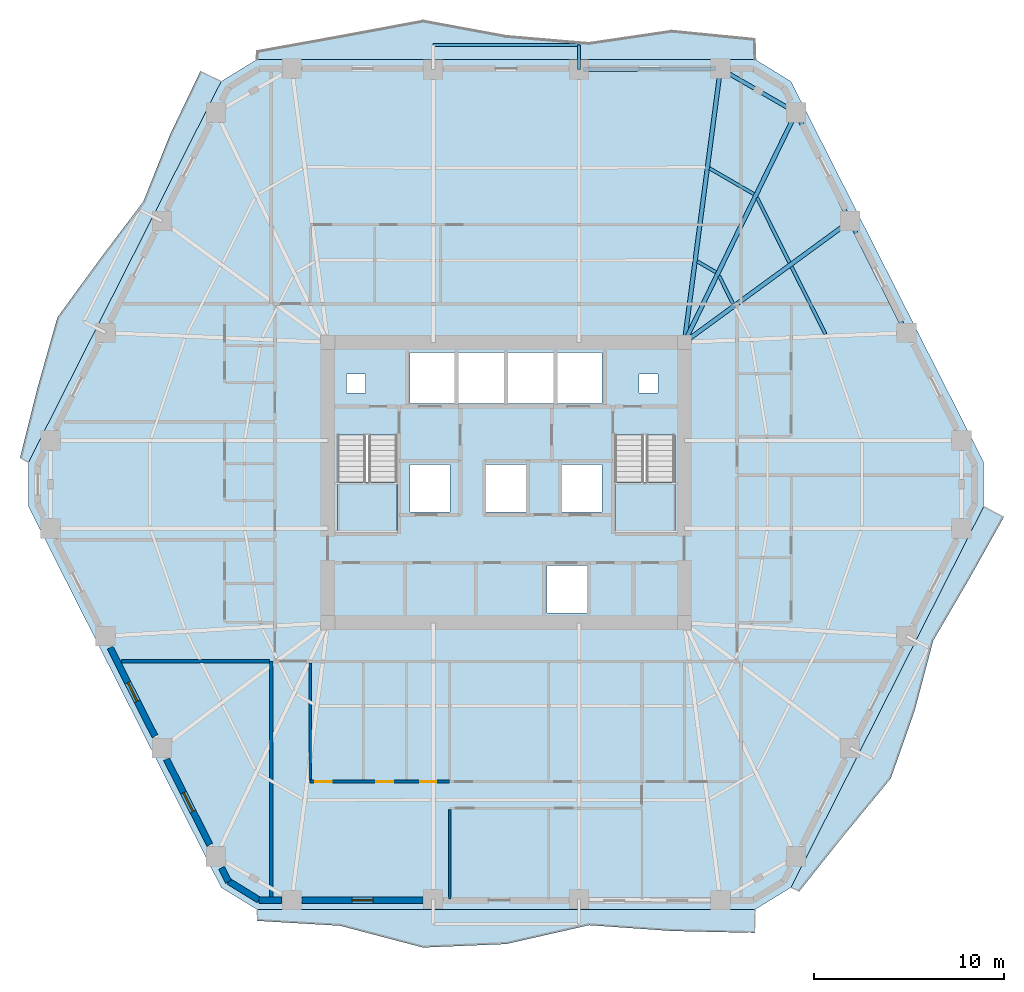
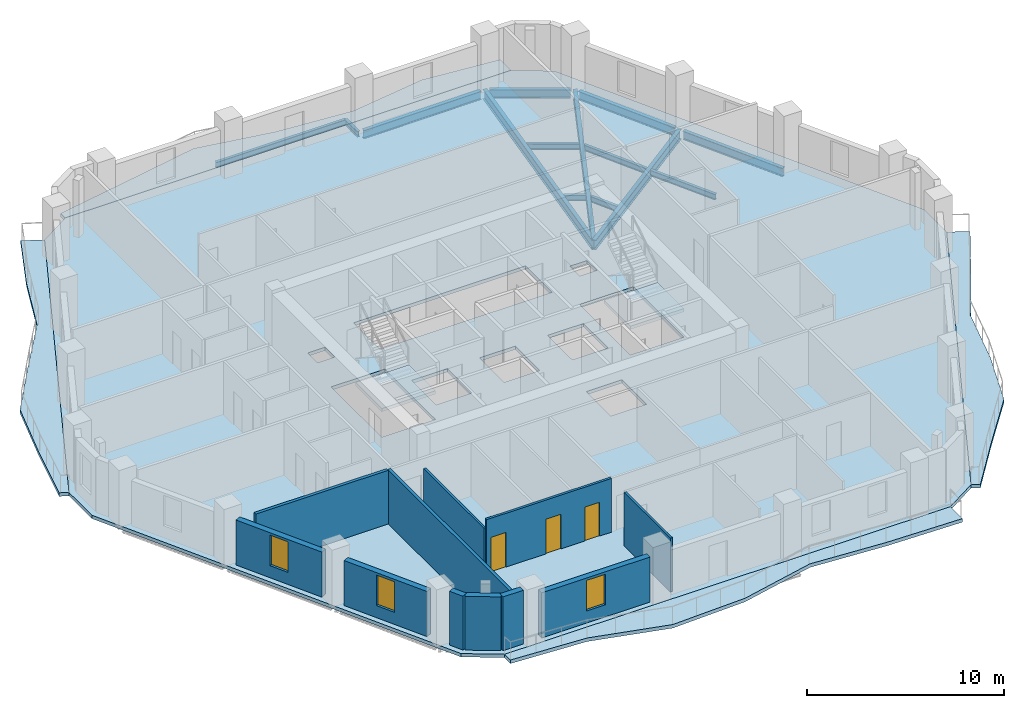
# One storey, part 3 of 10: 14 beams, 11 walls, 7 slabs, 3 doors, 3 windows, 6 openings, 2 elements without a shape of their own.
"""IFC4 building model written with IfcOpenShell, lengths in metres."""

import ifcopenshell
import ifcopenshell.guid

model = None  # the IFC model being written
_history = None  # IfcOwnerHistory: only IFC2X3 demands one
_inside = {}  # id of a spatial element -> (the spatial element, [elements in it])
_under = {}  # id of a project, library or spatial element -> (it, [spatial elements below it])
_declared = {}  # id of a project -> (the project, [libraries it declares])
_typed = {}  # id of a type object -> (the type object, [elements of that type])
_made_of = {}  # id of a material, layer set ... -> (it, [elements and type objects made of it])


def new_model(schema):
    """Start an empty IFC model of exactly this schema.

    Asked for "IFC4X3", IfcOpenShell would pick the latest addendum, in which some entities
    have other attributes; the version numbers below select the first issue.
    IFC2X3 requires an IfcOwnerHistory on every rooted entity: one is made here for all.
    """
    global model, _history
    if schema == "IFC4X3":
        model = ifcopenshell.file(schema_version=(4, 3, 0, 0))
    else:
        model = ifcopenshell.file(schema=schema)
    _inside.clear()
    _under.clear()
    _declared.clear()
    _typed.clear()
    _made_of.clear()
    _history = None
    if model.schema == "IFC2X3":
        org = make("IfcOrganization", Name="unknown")
        user = make(
            "IfcPersonAndOrganization",
            ThePerson=make("IfcPerson", FamilyName="unknown"),
            TheOrganization=org,
        )
        app = make(
            "IfcApplication",
            ApplicationDeveloper=org,
            Version="unknown",
            ApplicationFullName="unknown",
            ApplicationIdentifier="unknown",
        )
        _history = make(
            "IfcOwnerHistory",
            OwningUser=user,
            OwningApplication=app,
            ChangeAction="ADDED",
            CreationDate=0,
        )
    return model


def make(cls, **values):
    """One entity of the class cls with the attributes given. An attribute that is None is left unset."""
    return model.create_entity(
        cls, **{name: value for name, value in values.items() if value is not None}
    )


def rooted(cls, **values):
    """An entity with a GlobalId (a new one), such as an element, a storey or a relation."""
    return make(cls, GlobalId=ifcopenshell.guid.new(), OwnerHistory=_history, **values)


def si_unit(unit_type, name, prefix=None):
    """IfcSIUnit, for example si_unit("LENGTHUNIT", "METRE", prefix="MILLI")."""
    return make("IfcSIUnit", UnitType=unit_type, Prefix=prefix, Name=name)


def assignment(units):
    """IfcUnitAssignment: the units of a project."""
    return None if units is None else make("IfcUnitAssignment", Units=units)


def point(xyz):
    """IfcCartesianPoint."""
    return None if xyz is None else make("IfcCartesianPoint", Coordinates=xyz)


def direction(xyz):
    """IfcDirection."""
    return None if xyz is None else make("IfcDirection", DirectionRatios=xyz)


def frame(location, z_axis=None, x_axis=None):
    """IfcAxis2Placement3D, a coordinate frame: its origin and axes. An axis left out is left unset."""
    return make(
        "IfcAxis2Placement3D",
        Location=point(location),
        Axis=direction(z_axis),
        RefDirection=direction(x_axis),
    )


def frame_2d(location, x_axis=None):
    """IfcAxis2Placement2D, a coordinate frame in the plane: its origin and x axis."""
    return make(
        "IfcAxis2Placement2D", Location=point(location), RefDirection=direction(x_axis)
    )


def origin():
    """The frame at (0, 0, 0) with its axes left unset."""
    return frame((0.0, 0.0, 0.0))


def origin_2d():
    """The frame at (0, 0) in the plane with its x axis left unset."""
    return frame_2d((0.0, 0.0))


def place(relative_to, where):
    """IfcLocalPlacement: puts the frame where relative to a parent placement (None: the world)."""
    return make(
        "IfcLocalPlacement", PlacementRelTo=relative_to, RelativePlacement=where
    )


def context(
    kind, dimensions, precision=None, world=None, true_north=None, identifier=None
):
    """IfcGeometricRepresentationContext, for example the 3D "Model" context."""
    return make(
        "IfcGeometricRepresentationContext",
        ContextIdentifier=identifier,
        ContextType=kind,
        CoordinateSpaceDimension=dimensions,
        Precision=precision,
        WorldCoordinateSystem=world,
        TrueNorth=true_north,
    )


def subcontext(parent, identifier, kind, view, scale=None):
    """IfcGeometricRepresentationSubContext, for example "Body" below "Model"."""
    return make(
        "IfcGeometricRepresentationSubContext",
        ContextIdentifier=identifier,
        ContextType=kind,
        ParentContext=parent,
        TargetScale=scale,
        TargetView=view,
    )


def project(units=None, contexts=None):
    """IfcProject with its units and contexts."""
    return rooted(
        "IfcProject",
        Name="project",
        RepresentationContexts=contexts,
        UnitsInContext=assignment(units),
    )


def spatial(cls, under=None, at=None, **own):
    """A site, building, storey or space (cls), placed at a placement, below another one or the project."""
    s = rooted(cls, ObjectPlacement=at, **own)
    if under is not None:
        _under.setdefault(under.id(), (under, []))[1].append(s)
    return s


def polyline(points):
    """IfcPolyline through the points."""
    return make("IfcPolyline", Points=[point(p) for p in points])


def profile(cls, at=None, kind="AREA", **sizes):
    """A parametric profile (cls). Its sizes go by their IFC names, for example OverallWidth=200.0."""
    return make(cls, ProfileType=kind, Position=at, **sizes)


def rectangle(**sizes):
    """IfcRectangleProfileDef."""
    return profile("IfcRectangleProfileDef", **sizes)


def i_section(**sizes):
    """IfcIShapeProfileDef."""
    return profile("IfcIShapeProfileDef", **sizes)


def outline(outer, holes=None, kind="AREA"):
    """IfcArbitraryClosedProfileDef: a profile drawn as a closed curve; with holes, ...WithVoids."""
    if holes is None:
        return make("IfcArbitraryClosedProfileDef", ProfileType=kind, OuterCurve=outer)
    return make(
        "IfcArbitraryProfileDefWithVoids",
        ProfileType=kind,
        OuterCurve=outer,
        InnerCurves=holes,
    )


def extrude(swept, where, along, depth):
    """IfcExtrudedAreaSolid: the profile swept, set in the frame where, extruded along a direction by depth."""
    return make(
        "IfcExtrudedAreaSolid",
        SweptArea=swept,
        Position=where,
        ExtrudedDirection=direction(along),
        Depth=depth,
    )


def shape(context_of_items, identifier, shape_type, items):
    """IfcShapeRepresentation: the items that make up one representation, for example the "Body"."""
    return make(
        "IfcShapeRepresentation",
        ContextOfItems=context_of_items,
        RepresentationIdentifier=identifier,
        RepresentationType=shape_type,
        Items=items,
    )


def material(Name=None, Category=None):
    """IfcMaterial."""
    return make("IfcMaterial", Name=Name, Category=Category)


def layer(
    of_material, thickness, ventilated=None, Name=None, Category=None, Priority=None
):
    """IfcMaterialLayer: one layer of a wall or slab, of a material (None: an air gap)."""
    return make(
        "IfcMaterialLayer",
        Material=of_material,
        LayerThickness=thickness,
        IsVentilated=ventilated,
        Name=Name,
        Category=Category,
        Priority=Priority,
    )


def layer_set(layers, Name=None):
    """IfcMaterialLayerSet."""
    return make("IfcMaterialLayerSet", MaterialLayers=layers, LayerSetName=Name)


def material_profile(
    of_material, cross_section, Name=None, Category=None, Priority=None
):
    """IfcMaterialProfile: a cross section and its material."""
    return make(
        "IfcMaterialProfile",
        Name=Name,
        Material=of_material,
        Profile=cross_section,
        Priority=Priority,
        Category=Category,
    )


def profile_set(profiles, Name=None, composite=None):
    """IfcMaterialProfileSet."""
    return make(
        "IfcMaterialProfileSet",
        Name=Name,
        MaterialProfiles=profiles,
        CompositeProfile=composite,
    )


def made_of(thing, what):
    """Note that an element or type object is made of a material, layer set ...; save() writes the relation."""
    if what is not None:
        _made_of.setdefault(what.id(), (what, []))[1].append(thing)
    return thing


def type_object(cls, material=None, **own):
    """A type object (cls), such as IfcWallType, which elements share."""
    return made_of(rooted(cls, **own), material)


def element(
    cls,
    number,
    at=None,
    inside=None,
    cuts=None,
    type_object=None,
    material=None,
    context=None,
    identifier="Body",
    shape_type=None,
    held_by="IfcProductDefinitionShape",
    body=None,
    shapes=None,
    **own,
):
    """One element of the class cls, such as IfcWall. Its Tag is "e" and its number.

    at: its placement. inside: the storey or other place that contains it. cuts: it is an
    opening in that element (IfcRelVoidsElement). A single representation is given by context,
    identifier, shape_type and body (its items); several are given by shapes. held_by: the class
    of the entity that holds the representations. save() writes the other relations.
    """
    e = rooted(cls, Tag="e%d" % number, ObjectPlacement=at, **own)
    if body is not None:
        shapes = [shape(context, identifier, shape_type, body)]
    if shapes is not None:
        e.Representation = make(held_by, Representations=shapes)
    if inside is not None:
        _inside.setdefault(inside.id(), (inside, []))[1].append(e)
    if cuts is not None:
        rooted(
            "IfcRelVoidsElement", RelatingBuildingElement=cuts, RelatedOpeningElement=e
        )
    if type_object is not None:
        _typed.setdefault(type_object.id(), (type_object, []))[1].append(e)
    return made_of(e, material)


def fill(opening, filler):
    """IfcRelFillsElement: the door or window that sits in an opening."""
    return rooted(
        "IfcRelFillsElement",
        RelatingOpeningElement=opening,
        RelatedBuildingElement=filler,
    )


def aggregate(whole, parts):
    """IfcRelAggregates: a whole, such as a stair, and the parts it consists of."""
    return rooted("IfcRelAggregates", RelatingObject=whole, RelatedObjects=parts)


def save(model, path):
    """Write the relations noted so far, then the file.

    IfcRelAggregates (storeys below a building ...), IfcRelContainedInSpatialStructure (elements
    in a storey), IfcRelDefinesByType, IfcRelAssociatesMaterial and IfcRelDeclares: one each for
    every whole, place, type object, material and project.
    """
    for whole, parts in _under.values():
        aggregate(whole, parts)
    for where, things in _inside.values():
        rooted(
            "IfcRelContainedInSpatialStructure",
            RelatedElements=things,
            RelatingStructure=where,
        )
    for kind, things in _typed.values():
        rooted("IfcRelDefinesByType", RelatedObjects=things, RelatingType=kind)
    for what, things in _made_of.values():
        rooted("IfcRelAssociatesMaterial", RelatedObjects=things, RelatingMaterial=what)
    for by, libraries in _declared.values():
        rooted("IfcRelDeclares", RelatingContext=by, RelatedDefinitions=libraries)
    model.write(path)


model = new_model("IFC4")

# Units and contexts
model_context = context("Model", 3, precision=1e-05, world=origin(), true_north=direction((0.0, 1.0)))
body_context = subcontext(model_context, "Body", "Model", "MODEL_VIEW")
ifc_project = project(units=[si_unit("LENGTHUNIT", "METRE"), si_unit("AREAUNIT", "SQUARE_METRE"), si_unit("VOLUMEUNIT", "CUBIC_METRE"), si_unit("PLANEANGLEUNIT", "RADIAN"), si_unit("MASSUNIT", "GRAM", prefix="KILO")], contexts=[model_context])

# Site, building, storey
site_placement = place(None, origin())
site = spatial("IfcSite", under=ifc_project, at=site_placement, CompositionType="ELEMENT")
building_placement = place(site_placement, origin())
building = spatial("IfcBuilding", under=site, at=building_placement, Name="Cinnabar Lancet Tower", CompositionType="ELEMENT")
storey_placement = place(building_placement, frame((0.0, 0.0, 119.699951171875)))
storey = spatial("IfcBuildingStorey", under=building, at=storey_placement, Name="L31", CompositionType="ELEMENT", Elevation=119.699951171875)

# Beams
ifc_material_1 = material(Name="Structural steel S355", Category="steel")
ifc_material_profile_1 = material_profile(ifc_material_1, i_section(OverallWidth=0.17138671875, OverallDepth=0.35498046875, WebThickness=0.00732421875, FlangeThickness=0.011474609375, FilletRadius=0.01025390625, at=origin_2d()), Name="UKB 356x171x51")
ifc_profile_set_1 = profile_set([ifc_material_profile_1], Name="Structural steel S355")
beam_type_1 = type_object("IfcBeamType", Name="STR-BM-JST-356", PredefinedType="JOIST", material=ifc_profile_set_1)
beam_1_placement = place(storey_placement, frame((49.19189453125, 33.70703125, -0.387939453125), z_axis=(-0.450606998706, 0.892722427587, 0.0), x_axis=(-0.892722427587, -0.450606998706, 0.0)))
element("IfcBeam", 1, at=beam_1_placement, inside=storey, type_object=beam_type_1, Name="L31 Secondary Floor Joist 27", PredefinedType="JOIST", context=body_context, shape_type="SweptSolid", body=[
    extrude(i_section(OverallWidth=0.17138671875, OverallDepth=0.35498046875, WebThickness=0.00732421875, FlangeThickness=0.011474609375, FilletRadius=0.01025390625, at=origin_2d()), origin(), (0.0, 0.0, 1.0), 3.967529296875),
])
beam_2_placement = place(storey_placement, frame((47.300048828125, 37.455078125, -0.387939453125), z_axis=(-0.445116798807, 0.895472520751, 0.0), x_axis=(-0.895472520751, -0.445116798807, 0.0)))
element("IfcBeam", 2, at=beam_2_placement, inside=storey, type_object=beam_type_1, Name="L31 Secondary Floor Joist 29", PredefinedType="JOIST", context=body_context, shape_type="SweptSolid", body=[
    extrude(i_section(OverallWidth=0.17138671875, OverallDepth=0.35498046875, WebThickness=0.00732421875, FlangeThickness=0.011474609375, FilletRadius=0.01025390625, at=origin_2d()), origin(), (0.0, 0.0, 1.0), 3.8212890625),
])
beam_3_placement = place(storey_placement, frame((44.337890625, 35.2900390625, -0.387939453125), z_axis=(-0.445677136949, 0.895193772097, 0.0), x_axis=(-0.895193772097, -0.445677136949, 0.0)))
element("IfcBeam", 3, at=beam_3_placement, inside=storey, type_object=beam_type_1, Name="L31 Secondary Floor Joist 30", PredefinedType="JOIST", context=body_context, shape_type="SweptSolid", body=[
    extrude(i_section(OverallWidth=0.17138671875, OverallDepth=0.35498046875, WebThickness=0.00732421875, FlangeThickness=0.011474609375, FilletRadius=0.01025390625, at=origin_2d()), origin(), (0.0, 0.0, 1.0), 1.6533203125),
])
beam_4_placement = place(storey_placement, frame((45.43505859375, 41.06298828125, -0.387939453125), z_axis=(-0.865172906898, 0.501473669469, 0.0), x_axis=(-0.501473669469, -0.865172906898, 0.0)))
element("IfcBeam", 4, at=beam_4_placement, inside=storey, type_object=beam_type_1, Name="L31 Secondary Floor Joist 31", PredefinedType="JOIST", context=body_context, shape_type="SweptSolid", body=[
    extrude(i_section(OverallWidth=0.17138671875, OverallDepth=0.35498046875, WebThickness=0.00732421875, FlangeThickness=0.011474609375, FilletRadius=0.01025390625, at=origin_2d()), origin(), (0.0, 0.0, 1.0), 2.705810546875),
])
beam_5_placement = place(storey_placement, frame((43.43798828125, 36.9560546875, -0.387939453125), z_axis=(-0.865055308165, 0.501676503154, 0.0), x_axis=(-0.501676503154, -0.865055308165, 0.0)))
element("IfcBeam", 5, at=beam_5_placement, inside=storey, type_object=beam_type_1, Name="L31 Secondary Floor Joist 32", PredefinedType="JOIST", context=body_context, shape_type="SweptSolid", body=[
    extrude(i_section(OverallWidth=0.17138671875, OverallDepth=0.35498046875, WebThickness=0.00732421875, FlangeThickness=0.011474609375, FilletRadius=0.01025390625, at=origin_2d()), origin(), (0.0, 0.0, 1.0), 1.14208984375),
])
ifc_material_2 = material(Name="Structural steel S355", Category="steel")
ifc_material_profile_2 = material_profile(ifc_material_2, i_section(OverallWidth=0.209228515625, OverallDepth=0.533203125, WebThickness=0.010009765625, FlangeThickness=0.015625, FilletRadius=0.0126953125, at=origin_2d()), Name="UKB 533x210x92")
ifc_profile_set_2 = profile_set([ifc_material_profile_2], Name="Structural steel S355")
beam_type_2 = type_object("IfcBeamType", Name="STR-BM-SPN-533", PredefinedType="SPANDREL", material=ifc_profile_set_2)
beam_6_placement = place(storey_placement, frame((53.339111328125, 33.9990234375, -0.47705078125), z_axis=(-0.450570325924, 0.892740937449, 0.0), x_axis=(-0.892740937449, -0.450570325924, 0.0)))
element("IfcBeam", 6, at=beam_6_placement, inside=storey, type_object=beam_type_2, Name="L31 Perimeter Spandrel 10", PredefinedType="SPANDREL", context=body_context, shape_type="SweptSolid", body=[
    extrude(i_section(OverallWidth=0.209228515625, OverallDepth=0.533203125, WebThickness=0.010009765625, FlangeThickness=0.015625, FilletRadius=0.0126953125, at=origin_2d()), origin(), (0.0, 0.0, 1.0), 6.07470703125),
])
beam_7_placement = place(storey_placement, frame((50.3779296875, 39.868896484375, -0.47705078125), z_axis=(-0.445501068635, 0.89528140707, 0.0), x_axis=(-0.89528140707, -0.445501068635, 0.0)))
element("IfcBeam", 7, at=beam_7_placement, inside=storey, type_object=beam_type_2, Name="L31 Perimeter Spandrel 11", PredefinedType="SPANDREL", context=body_context, shape_type="SweptSolid", body=[
    extrude(i_section(OverallWidth=0.209228515625, OverallDepth=0.533203125, WebThickness=0.010009765625, FlangeThickness=0.015625, FilletRadius=0.0126953125, at=origin_2d()), origin(), (0.0, 0.0, 1.0), 5.87646484375),
])
beam_8_placement = place(storey_placement, frame((47.43310546875, 45.47900390625, -0.47705078125), z_axis=(-0.865138129765, 0.5015336643, 0.0), x_axis=(-0.5015336643, -0.865138129765, 0.0)))
element("IfcBeam", 8, at=beam_8_placement, inside=storey, type_object=beam_type_2, Name="L31 Perimeter Spandrel 12", PredefinedType="SPANDREL", context=body_context, shape_type="SweptSolid", body=[
    extrude(i_section(OverallWidth=0.209228515625, OverallDepth=0.533203125, WebThickness=0.010009765625, FlangeThickness=0.015625, FilletRadius=0.0126953125, at=origin_2d()), origin(), (0.0, 0.0, 1.0), 4.10107421875),
])
beam_9_placement = place(storey_placement, frame((43.4189453125, 47.658935546875, -0.47705078125), z_axis=(-0.999975228682, -0.007038609338, 0.0), x_axis=(0.007038609338, -0.999975228682, 0.0)))
element("IfcBeam", 9, at=beam_9_placement, inside=storey, type_object=beam_type_2, Name="L31 Perimeter Spandrel 13", PredefinedType="SPANDREL", context=body_context, shape_type="SweptSolid", body=[
    extrude(i_section(OverallWidth=0.209228515625, OverallDepth=0.533203125, WebThickness=0.010009765625, FlangeThickness=0.015625, FilletRadius=0.0126953125, at=origin_2d()), origin(), (0.0, 0.0, 1.0), 6.937255859375),
])
ifc_material_3 = material(Name="Structural steel S355", Category="steel")
ifc_material_profile_3 = material_profile(ifc_material_3, i_section(OverallWidth=0.228271484375, OverallDepth=0.607666015625, WebThickness=0.010986328125, FlangeThickness=0.017333984375, FilletRadius=0.0126953125, at=origin_2d()), Name="UKB 610x229x113")
ifc_profile_set_3 = profile_set([ifc_material_profile_3], Name="Structural steel S355")
beam_type_3 = type_object("IfcBeamType", Name="STR-BM-UKB610-113", PredefinedType="BEAM", material=ifc_profile_set_3)
beam_10_placement = place(storey_placement, frame((50.489013671875, 39.64501953125, -0.513916015625), z_axis=(-0.807297870919, -0.590144175273, 0.0), x_axis=(0.590144175273, -0.807297870919, 0.0)))
element("IfcBeam", 10, at=beam_10_placement, inside=storey, type_object=beam_type_3, Name="L31 Corner Collector Girder 3", PredefinedType="BEAM", context=body_context, shape_type="SweptSolid", body=[
    extrude(i_section(OverallWidth=0.228271484375, OverallDepth=0.607666015625, WebThickness=0.010986328125, FlangeThickness=0.017333984375, FilletRadius=0.0126953125, at=origin_2d()), origin(), (0.0, 0.0, 1.0), 10.794189453125),
])
beam_11_placement = place(storey_placement, frame((47.64892578125, 45.35400390625, -0.513916015625), z_axis=(-0.437327473227, -0.899302330232, 0.0), x_axis=(0.899302330232, -0.437327473227, 0.0)))
element("IfcBeam", 11, at=beam_11_placement, inside=storey, type_object=beam_type_3, Name="L31 Primary Floor Girder 12", PredefinedType="BEAM", context=body_context, shape_type="SweptSolid", body=[
    extrude(i_section(OverallWidth=0.228271484375, OverallDepth=0.607666015625, WebThickness=0.010986328125, FlangeThickness=0.017333984375, FilletRadius=0.0126953125, at=origin_2d()), origin(), (0.0, 0.0, 1.0), 13.431640625),
])
beam_12_placement = place(storey_placement, frame((43.6689453125, 47.660888671875, -0.513916015625), z_axis=(-0.130532420418, -0.991444041396, 0.0), x_axis=(0.991444041396, -0.130532420418, 0.0)))
element("IfcBeam", 12, at=beam_12_placement, inside=storey, type_object=beam_type_3, Name="L31 Primary Floor Girder 13", PredefinedType="BEAM", context=body_context, shape_type="SweptSolid", body=[
    extrude(i_section(OverallWidth=0.228271484375, OverallDepth=0.607666015625, WebThickness=0.010986328125, FlangeThickness=0.017333984375, FilletRadius=0.0126953125, at=origin_2d()), origin(), (0.0, 0.0, 1.0), 14.51025390625),
])
ifc_material_4 = material(Name="Structural steel S355", Category="steel")
ifc_material_profile_4 = material_profile(ifc_material_4, i_section(OverallWidth=0.17138671875, OverallDepth=0.35498046875, WebThickness=0.00732421875, FlangeThickness=0.011474609375, FilletRadius=0.01025390625, at=origin_2d()), Name="UKB 356x171x51")
ifc_profile_set_4 = profile_set([ifc_material_profile_4], Name="Structural steel S355")
beam_type_4 = type_object("IfcBeamType", Name="STR-BM-WAV-OUT", PredefinedType="BEAM", material=ifc_profile_set_4)
beam_13_placement = place(storey_placement, frame((36.23193359375, 47.60791015625, -0.39697265625), z_axis=(0.0, 1.0, 0.0), x_axis=(-1.0, 0.0, 0.0)))
element("IfcBeam", 13, at=beam_13_placement, inside=storey, type_object=beam_type_4, Name="L31 Face 4 Balcony Outlooker A", PredefinedType="BEAM", context=body_context, shape_type="SweptSolid", body=[
    extrude(i_section(OverallWidth=0.17138671875, OverallDepth=0.35498046875, WebThickness=0.00732421875, FlangeThickness=0.011474609375, FilletRadius=0.01025390625, at=origin_2d()), origin(), (0.0, 0.0, 1.0), 1.300048828125),
])
ifc_material_5 = material(Name="Structural steel S355", Category="steel")
ifc_material_profile_5 = material_profile(ifc_material_5, i_section(OverallWidth=0.17138671875, OverallDepth=0.35498046875, WebThickness=0.00732421875, FlangeThickness=0.011474609375, FilletRadius=0.01025390625, at=origin_2d()), Name="UKB 356x171x51")
ifc_profile_set_5 = profile_set([ifc_material_profile_5], Name="Structural steel S355")
beam_type_5 = type_object("IfcBeamType", Name="STR-BM-WAV-TRIM", PredefinedType="SPANDREL", material=ifc_profile_set_5)
beam_14_placement = place(storey_placement, frame((36.23193359375, 48.907958984375, -0.39697265625), z_axis=(-1.0, 0.0, 0.0), x_axis=(0.0, -1.0, 0.0)))
element("IfcBeam", 14, at=beam_14_placement, inside=storey, type_object=beam_type_5, Name="L31 Face 4 Balcony Edge Trimmer", PredefinedType="SPANDREL", context=body_context, shape_type="SweptSolid", body=[
    extrude(i_section(OverallWidth=0.17138671875, OverallDepth=0.35498046875, WebThickness=0.00732421875, FlangeThickness=0.011474609375, FilletRadius=0.01025390625, at=origin_2d()), origin(), (0.0, 0.0, 1.0), 7.663818359375),
])

# Stair, slab
ifc_material_6 = material(Name="Concrete C40/50", Category="concrete")
stair_type = type_object("IfcStairType", Name="ST-CORE", PredefinedType="HALF_TURN_STAIR", material=ifc_material_6)
stair_1_placement = place(storey_placement, origin())
stair_1 = element("IfcStair", 15, at=stair_1_placement, inside=storey, type_object=stair_type, Name="L31 ST-1", PredefinedType="HALF_TURN_STAIR")
ifc_material_7 = material(Name="Concrete C40/50", Category="concrete")
ifc_layer_1 = layer(ifc_material_7, 0.199951171875)
ifc_layer_set_1 = layer_set([ifc_layer_1], Name="Concrete C40/50")
slab_type_1 = type_object("IfcSlabType", Name="LANDING-CORE", PredefinedType="LANDING", material=ifc_layer_set_1)
slab_1_placement = place(storey_placement, frame((0.0, 0.0, 1.574951171875)))
slab_1 = element("IfcSlab", 16, at=slab_1_placement, type_object=slab_type_1, Name="ST-1 landing 1", PredefinedType="LANDING", context=body_context, shape_type="SweptSolid", body=[
    extrude(outline(polyline([(23.52490234375, 25.925048828125), (23.52490234375, 23.25), (26.675048828125, 23.25), (26.675048828125, 25.925048828125), (23.52490234375, 25.925048828125)])), origin(), (0.0, 0.0, 1.0), 0.2001953125),
])
aggregate(stair_1, [slab_1])

stair_2_placement = place(storey_placement, origin())
stair_2 = element("IfcStair", 17, at=stair_2_placement, inside=storey, type_object=stair_type, Name="L31 ST-2", PredefinedType="HALF_TURN_STAIR")
slab_2_placement = place(storey_placement, frame((0.0, 0.0, 1.574951171875)))
slab_2 = element("IfcSlab", 18, at=slab_2_placement, type_object=slab_type_1, Name="ST-2 landing 1", PredefinedType="LANDING", context=body_context, shape_type="SweptSolid", body=[
    extrude(outline(polyline([(38.125, 25.925048828125), (38.125, 23.25), (41.27490234375, 23.25), (41.27490234375, 25.925048828125), (38.125, 25.925048828125)])), origin(), (0.0, 0.0, 1.0), 0.2001953125),
])
aggregate(stair_2, [slab_2])

# Slabs
ifc_material_8 = material(Name="Concrete C40/50", Category="concrete")
ifc_layer_2 = layer(ifc_material_8, 0.2099609375)
ifc_layer_set_2 = layer_set([ifc_layer_2], Name="Concrete C40/50")
slab_type_2 = type_object("IfcSlabType", Name="STR-SLB-FLR-210", PredefinedType="FLOOR", material=ifc_layer_set_2)
slab_3_placement = place(storey_placement, frame((0.0, 0.0, -0.2099609375)))
element("IfcSlab", 19, at=slab_3_placement, inside=storey, type_object=slab_type_2, Name="L31 Structural Floor Slab", PredefinedType="FLOOR", context=body_context, shape_type="SweptSolid", body=[
    extrude(outline(polyline([(17.4208984375, 4.610107421875), (19.30810546875, 3.449951171875), (45.491943359375, 3.449951171875), (47.37890625, 4.610107421875), (57.512939453125, 24.639892578125), (57.512939453125, 26.9599609375), (47.37890625, 46.989990234375), (45.491943359375, 48.14990234375), (19.30810546875, 48.14990234375), (17.4208984375, 46.989990234375), (7.287109375, 26.9599609375), (7.287109375, 24.639892578125), (17.4208984375, 4.610107421875)]), holes=[polyline([(23.52490234375, 23.25), (26.675048828125, 23.25), (26.675048828125, 28.3994140625), (23.52490234375, 28.3994140625), (23.52490234375, 23.25)]), polyline([(38.125, 23.25), (41.27490234375, 23.25), (41.27490234375, 28.3994140625), (38.125, 28.3994140625), (38.125, 23.25)]), polyline([(27.35009765625, 30.050048828125), (37.449951171875, 30.050048828125), (37.449951171875, 32.75), (27.35009765625, 32.75), (27.35009765625, 30.050048828125)]), polyline([(34.550048828125, 19.050048828125), (36.64990234375, 19.050048828125), (36.64990234375, 21.550048828125), (34.550048828125, 21.550048828125), (34.550048828125, 19.050048828125)]), polyline([(27.35009765625, 24.35009765625), (29.449951171875, 24.35009765625), (29.449951171875, 26.85009765625), (27.35009765625, 26.85009765625), (27.35009765625, 24.35009765625)]), polyline([(35.35009765625, 24.35009765625), (37.449951171875, 24.35009765625), (37.449951171875, 26.85009765625), (35.35009765625, 26.85009765625), (35.35009765625, 24.35009765625)]), polyline([(31.35009765625, 24.35009765625), (33.449951171875, 24.35009765625), (33.449951171875, 26.85009765625), (31.35009765625, 26.85009765625), (31.35009765625, 24.35009765625)]), polyline([(24.0, 30.60009765625), (25.0, 30.60009765625), (25.0, 31.60009765625), (24.0, 31.60009765625), (24.0, 30.60009765625)]), polyline([(39.39990234375, 30.60009765625), (40.39990234375, 30.60009765625), (40.39990234375, 31.60009765625), (39.39990234375, 31.60009765625), (39.39990234375, 30.60009765625)])]), origin(), (0.0, 0.0, 1.0), 0.2099609375),
])
ifc_material_9 = material(Name="Concrete C45/55", Category="concrete")
ifc_layer_3 = layer(ifc_material_9, 0.219970703125)
ifc_layer_set_3 = layer_set([ifc_layer_3], Name="Concrete C45/55")
slab_type_3 = type_object("IfcSlabType", Name="STR-SLB-WAV-220", PredefinedType="FLOOR", material=ifc_layer_set_3)
slab_4_placement = place(storey_placement, frame((0.0, 0.0, -0.219970703125)))
element("IfcSlab", 20, at=slab_4_placement, inside=storey, type_object=slab_type_3, Name="L31 Face 1 Undulating Wave Balcony Slab", PredefinedType="FLOOR", context=body_context, shape_type="SweptSolid", body=[
    extrude(outline(polyline([(19.30810546875, 3.449951171875), (19.30810546875, 2.85693359375), (23.672119140625, 2.59912109375), (28.035888671875, 1.452880859375), (32.39990234375, 1.636962890625), (36.763916015625, 2.6279296875), (41.1279296875, 2.322998046875), (45.491943359375, 2.22509765625), (45.491943359375, 3.449951171875), (19.30810546875, 3.449951171875)])), origin(), (0.0, 0.0, 1.0), 0.219970703125),
])
slab_5_placement = place(storey_placement, frame((0.0, 0.0, -0.219970703125)))
element("IfcSlab", 21, at=slab_5_placement, inside=storey, type_object=slab_type_3, Name="L31 Face 2 Undulating Wave Balcony Slab", PredefinedType="FLOOR", context=body_context, shape_type="SweptSolid", body=[
    extrude(outline(polyline([(47.37890625, 4.610107421875), (47.803955078125, 4.39501953125), (50.18310546875, 7.384033203125), (52.625, 10.342041015625), (53.8779296875, 13.90087890625), (54.85888671875, 17.596923828125), (56.748046875, 20.833984375), (58.5791015625, 24.10009765625), (57.512939453125, 24.639892578125), (47.37890625, 4.610107421875)])), origin(), (0.0, 0.0, 1.0), 0.219970703125),
])
slab_6_placement = place(storey_placement, frame((0.0, 0.0, -0.219970703125)))
element("IfcSlab", 22, at=slab_6_placement, inside=storey, type_object=slab_type_3, Name="L31 Face 4 Undulating Wave Balcony Slab", PredefinedType="FLOOR", context=body_context, shape_type="SweptSolid", body=[
    extrude(outline(polyline([(45.491943359375, 48.14990234375), (45.491943359375, 49.25), (41.1279296875, 49.68408203125), (36.763916015625, 49.044921875), (32.39990234375, 49.4150390625), (28.035888671875, 50.219970703125), (23.672119140625, 49.407958984375), (19.30810546875, 48.617919921875), (19.30810546875, 48.14990234375), (45.491943359375, 48.14990234375)])), origin(), (0.0, 0.0, 1.0), 0.219970703125),
])
slab_7_placement = place(storey_placement, frame((0.0, 0.0, -0.219970703125)))
element("IfcSlab", 23, at=slab_7_placement, inside=storey, type_object=slab_type_3, Name="L31 Face 5 Undulating Wave Balcony Slab", PredefinedType="FLOOR", context=body_context, shape_type="SweptSolid", body=[
    extrude(outline(polyline([(17.4208984375, 46.989990234375), (16.3349609375, 47.5390625), (14.718994140625, 44.1640625), (13.330078125, 40.674072265625), (11.0390625, 37.639892578125), (8.80810546875, 34.575927734375), (7.77197265625, 30.907958984375), (6.843017578125, 27.18505859375), (7.287109375, 26.9599609375), (17.4208984375, 46.989990234375)])), origin(), (0.0, 0.0, 1.0), 0.219970703125),
])

# Walls
ifc_material_10 = material(Name="Fire-rated twin-frame acoustic drywall", Category="gypsum")
ifc_layer_4 = layer(ifc_material_10, 0.179931640625)
ifc_layer_set_4 = layer_set([ifc_layer_4], Name="Fire-rated twin-frame acoustic drywall")
wall_type_1 = type_object("IfcWallType", Name="ARC-WL-PARTY-180", PredefinedType="PARTITIONING", material=ifc_layer_set_4)
wall_1_placement = place(storey_placement, frame((20.050048828125, 4.10498046875, 0.0), z_axis=(0.0, 0.0, 1.0), x_axis=(0.0, 1.0, 0.0)))
element("IfcWall", 24, at=wall_1_placement, inside=storey, type_object=wall_type_1, Name="PW-L31-SPTY-200", PredefinedType="PARTITIONING", context=body_context, shape_type="SweptSolid", body=[
    extrude(rectangle(XDim=12.39501953125, YDim=0.179931640625, at=frame_2d((6.197509765625, 0.0))), origin(), (0.0, 0.0, 1.0), 3.340087890625),
])
wall_2_placement = place(storey_placement, frame((12.18505859375, 16.5, 0.0), z_axis=(0.0, 0.0, 1.0), x_axis=(1.0, 0.0, 0.0)))
element("IfcWall", 25, at=wall_2_placement, inside=storey, type_object=wall_type_1, Name="PW-L31-WSB", PredefinedType="PARTITIONING", context=body_context, shape_type="SweptSolid", body=[
    extrude(rectangle(XDim=7.77001953125, YDim=0.179931640625, at=frame_2d((3.885009765625, 0.0))), origin(), (0.0, 0.0, 1.0), 3.340087890625),
])
ifc_material_11 = material(Name="Gypsum plasterboard stud partition", Category="gypsum")
ifc_layer_5 = layer(ifc_material_11, 0.125)
ifc_layer_set_5 = layer_set([ifc_layer_5], Name="Gypsum plasterboard stud partition")
wall_type_2 = type_object("IfcWallType", Name="ARC-WL-UNIT-125", PredefinedType="PARTITIONING", material=ifc_layer_set_5)
wall_3_placement = place(storey_placement, frame((22.10009765625, 10.283935546875, 0.0), z_axis=(0.0, 0.0, 1.0), x_axis=(0.0, 1.0, 0.0)))
element("IfcWall", 26, at=wall_3_placement, inside=storey, type_object=wall_type_2, Name="UW-L31-S01-FOYE", PredefinedType="PARTITIONING", context=body_context, shape_type="SweptSolid", body=[
    extrude(rectangle(XDim=6.131103515625, YDim=0.125, at=frame_2d((3.0654296875, 0.0))), origin(), (0.0, 0.0, 1.0), 2.72216796875),
])
wall_4_placement = place(storey_placement, frame((29.43603515625, 4.014892578125, 0.0), z_axis=(0.0, 0.0, 1.0), x_axis=(0.0, 1.0, 0.0)))
element("IfcWall", 27, at=wall_4_placement, inside=storey, type_object=wall_type_2, Name="UW-L31-S01-BD2W", PredefinedType="PARTITIONING", context=body_context, shape_type="SweptSolid", body=[
    extrude(rectangle(XDim=4.69921875, YDim=0.125, at=frame_2d((2.349609375, 0.0))), origin(), (0.0, 0.0, 1.0), 3.340087890625),
])

# Wall, openings, doors
ifc_material_12 = material(Name="Moisture-resistant cement-board plumbing wall", Category="masonry")
ifc_layer_6 = layer(ifc_material_12, 0.139892578125)
ifc_layer_set_6 = layer_set([ifc_layer_6], Name="Moisture-resistant cement-board plumbing wall")
wall_type_3 = type_object("IfcWallType", Name="ARC-WL-WET-140", PredefinedType="PLUMBINGWALL", material=ifc_layer_set_6)
wall_5_placement = place(storey_placement, frame((22.10009765625, 10.178955078125, 0.0), z_axis=(0.0, 0.0, 1.0), x_axis=(1.0, 0.0, 0.0)))
wall_5 = element("IfcWall", 28, at=wall_5_placement, inside=storey, type_object=wall_type_3, Name="UW-L31-S01-SPL", PredefinedType="PLUMBINGWALL", context=body_context, shape_type="SweptSolid", body=[
    extrude(rectangle(XDim=7.3359375, YDim=0.139892578125, at=frame_2d((3.66796875, 0.0))), origin(), (0.0, 0.0, 1.0), 3.340087890625),
])
opening_1_placement = place(wall_5_placement, frame((5.77392578125, 0.0, 0.0)))
opening_1 = element("IfcOpeningElement", 29, at=opening_1_placement, cuts=wall_5, Name="Opening BD-01", PredefinedType="OPENING", context=body_context, shape_type="SweptSolid", body=[
    extrude(rectangle(XDim=0.860107421875, YDim=2.10009765625, at=frame_2d((0.43017578125, 1.050048828125))), frame((0.0, 0.079833984375, 0.0), z_axis=(0.0, -1.0, 0.0), x_axis=(1.0, 0.0, 0.0)), (0.0, 0.0, 1.0), 0.159912109375),
])
opening_2_placement = place(wall_5_placement, frame((0.260009765625, 0.0, 0.0)))
opening_2 = element("IfcOpeningElement", 30, at=opening_2_placement, cuts=wall_5, Name="Opening RD-02", PredefinedType="OPENING", context=body_context, shape_type="SweptSolid", body=[
    extrude(rectangle(XDim=0.8798828125, YDim=2.14990234375, at=frame_2d((0.43994140625, 1.074951171875))), frame((0.0, 0.079833984375, 0.0), z_axis=(0.0, -1.0, 0.0), x_axis=(1.0, 0.0, 0.0)), (0.0, 0.0, 1.0), 0.159912109375),
])
opening_3_placement = place(wall_5_placement, frame((3.485107421875, 0.0, 0.0)))
opening_3 = element("IfcOpeningElement", 31, at=opening_3_placement, cuts=wall_5, Name="Opening RD-02", PredefinedType="OPENING", context=body_context, shape_type="SweptSolid", body=[
    extrude(rectangle(XDim=0.8798828125, YDim=2.14990234375, at=frame_2d((0.43994140625, 1.074951171875))), frame((0.0, 0.079833984375, 0.0), z_axis=(0.0, -1.0, 0.0), x_axis=(1.0, 0.0, 0.0)), (0.0, 0.0, 1.0), 0.159912109375),
])
ifc_material_13 = material(Name="Moisture-resistant timber bathroom door", Category="wood")
door_type_1 = type_object("IfcDoorType", Name="ARC-DR-BATH", OperationType="NOTDEFINED", PredefinedType="DOOR", material=ifc_material_13)
door_1_placement = place(opening_1_placement, origin())
door_1 = element("IfcDoor", 32, at=door_1_placement, inside=storey, type_object=door_type_1, Name="DR-L31-S01-BTH", OperationType="SINGLE_SWING_RIGHT", OverallHeight=2.10009765625, OverallWidth=0.860107421875, PredefinedType="DOOR", context=body_context, shape_type="SweptSolid", body=[
    extrude(rectangle(XDim=0.860107421875, YDim=2.10009765625, at=frame_2d((0.43017578125, 1.050048828125))), frame((0.0, 0.02490234375, 0.0), z_axis=(0.0, -1.0, 0.0), x_axis=(1.0, 0.0, 0.0)), (0.0, 0.0, 1.0), 0.050048828125),
])
fill(opening_1, door_1)
ifc_material_14 = material(Name="Engineered timber study door", Category="wood")
door_type_2 = type_object("IfcDoorType", Name="ARC-DR-STUDY", OperationType="NOTDEFINED", PredefinedType="DOOR", material=ifc_material_14)
door_2_placement = place(opening_2_placement, origin())
door_2 = element("IfcDoor", 33, at=door_2_placement, inside=storey, type_object=door_type_2, Name="DR-L31-S01-KIT", OperationType="SINGLE_SWING_RIGHT", OverallHeight=2.14990234375, OverallWidth=0.8798828125, PredefinedType="DOOR", context=body_context, shape_type="SweptSolid", body=[
    extrude(rectangle(XDim=0.8798828125, YDim=2.14990234375, at=frame_2d((0.43994140625, 1.074951171875))), frame((0.0, 0.02490234375, 0.0), z_axis=(0.0, -1.0, 0.0), x_axis=(1.0, 0.0, 0.0)), (0.0, 0.0, 1.0), 0.050048828125),
])
fill(opening_2, door_2)
door_3_placement = place(opening_3_placement, origin())
door_3 = element("IfcDoor", 34, at=door_3_placement, inside=storey, type_object=door_type_2, Name="DR-L31-S01-STD", OperationType="SINGLE_SWING_LEFT", OverallHeight=2.14990234375, OverallWidth=0.8798828125, PredefinedType="DOOR", context=body_context, shape_type="SweptSolid", body=[
    extrude(rectangle(XDim=0.8798828125, YDim=2.14990234375, at=frame_2d((0.43994140625, 1.074951171875))), frame((0.0, 0.02490234375, 0.0), z_axis=(0.0, -1.0, 0.0), x_axis=(1.0, 0.0, 0.0)), (0.0, 0.0, 1.0), 0.050048828125),
])
fill(opening_3, door_3)

# Walls
ifc_material_15 = material(Name="Cinnabar red clay brick", Category="masonry")
ifc_layer_7 = layer(ifc_material_15, 0.340087890625)
ifc_layer_set_7 = layer_set([ifc_layer_7], Name="Cinnabar red clay brick")
wall_type_4 = type_object("IfcWallType", Name="ENV-WL-BRK-RED-340", PredefinedType="STANDARD", material=ifc_layer_set_7)
wall_6_placement = place(storey_placement, frame((17.8291015625, 4.923095703125, 0.0), z_axis=(0.0, 0.0, 1.0), x_axis=(0.851798915137, -0.523868884523, 0.0)))
element("IfcWall", 35, at=wall_6_placement, inside=storey, type_object=wall_type_4, Name="L31 Chamfered Corner Brick Pier 1.1", PredefinedType="STANDARD", context=body_context, shape_type="SweptSolid", body=[
    extrude(rectangle(XDim=1.847900390625, YDim=0.340087890625, at=frame_2d((0.923828125, 0.0))), origin(), (0.0, 0.0, 1.0), 3.340087890625),
])
wall_7_placement = place(storey_placement, frame((19.39794921875, 3.929931640625, 0.0), z_axis=(0.0, 0.0, 1.0), x_axis=(1.0, 0.0, 0.0)))
element("IfcWall", 36, at=wall_7_placement, inside=storey, type_object=wall_type_4, Name="L31 Face 1 Masonry Bay Wall 1", PredefinedType="STANDARD", context=body_context, shape_type="SweptSolid", body=[
    extrude(rectangle(XDim=1.2041015625, YDim=0.340087890625, at=frame_2d((0.60205078125, 0.0))), origin(), (0.0, 0.0, 1.0), 3.340087890625),
])

# Wall, opening, window
wall_8_placement = place(storey_placement, frame((21.659912109375, 3.929931640625, 0.0), z_axis=(0.0, 0.0, 1.0), x_axis=(1.0, 0.0, 0.0)))
wall_8 = element("IfcWall", 37, at=wall_8_placement, inside=storey, type_object=wall_type_4, Name="L31 Face 1 Masonry Bay Wall 2", PredefinedType="STANDARD", context=body_context, shape_type="SweptSolid", body=[
    extrude(rectangle(XDim=6.379150390625, YDim=0.340087890625, at=frame_2d((3.189453125, 0.0))), origin(), (0.0, 0.0, 1.0), 2.797119140625),
])
opening_4_placement = place(wall_8_placement, frame((2.639892578125, 0.0, 0.75)))
opening_4 = element("IfcOpeningElement", 38, at=opening_4_placement, cuts=wall_8, Name="Opening WN-04", PredefinedType="OPENING", context=body_context, shape_type="SweptSolid", body=[
    extrude(rectangle(XDim=1.10009765625, YDim=1.89697265625, at=frame_2d((0.550048828125, 0.948486328125))), frame((0.0, 0.179931640625, 0.0), z_axis=(0.0, -1.0, 0.0), x_axis=(1.0, 0.0, 0.0)), (0.0, 0.0, 1.0), 0.360107421875),
])
ifc_material_16 = material(Name="Thermally broken bronze-anodized aluminium tall lancet window", Category="aluminium")
window_type = type_object("IfcWindowType", Name="ENV-WN-LANCET-1100", PartitioningType="SINGLE_PANEL", PredefinedType="WINDOW", material=ifc_material_16)
window_1_placement = place(opening_4_placement, origin())
window_1 = element("IfcWindow", 39, at=window_1_placement, inside=storey, type_object=window_type, Name="L31 Face 1 Gothic Lancet Window 2", OverallHeight=1.89697265625, OverallWidth=1.10009765625, PartitioningType="SINGLE_PANEL", PredefinedType="WINDOW", context=body_context, shape_type="SweptSolid", body=[
    extrude(rectangle(XDim=1.10009765625, YDim=1.89697265625, at=frame_2d((0.550048828125, 0.948486328125))), frame((0.0, 0.030029296875, 0.0), z_axis=(0.0, -1.0, 0.0), x_axis=(1.0, 0.0, 0.0)), (0.0, 0.0, 1.0), 0.06005859375),
])
fill(opening_4, window_1)

wall_9_placement = place(storey_placement, frame((11.580078125, 17.218017578125, 0.0), z_axis=(0.0, 0.0, 1.0), x_axis=(0.451567731634, -0.892236842855, 0.0)))
wall_9 = element("IfcWall", 40, at=wall_9_placement, inside=storey, type_object=wall_type_4, Name="L31 Face 6 Masonry Bay Wall 3", PredefinedType="STANDARD", context=body_context, shape_type="SweptSolid", body=[
    extrude(rectangle(XDim=5.219482421875, YDim=0.340087890625, at=frame_2d((2.60986328125, 0.0))), origin(), (0.0, 0.0, 1.0), 2.797119140625),
])
opening_5_placement = place(wall_9_placement, frame((2.06005859375, 0.0, 0.75)))
opening_5 = element("IfcOpeningElement", 41, at=opening_5_placement, cuts=wall_9, Name="Opening WN-04", PredefinedType="OPENING", context=body_context, shape_type="SweptSolid", body=[
    extrude(rectangle(XDim=1.10009765625, YDim=1.89697265625, at=frame_2d((0.550048828125, 0.948486328125))), frame((0.0, 0.179931640625, 0.0), z_axis=(0.0, -1.0, 0.0), x_axis=(1.0, 0.0, 0.0)), (0.0, 0.0, 1.0), 0.360107421875),
])
window_2_placement = place(opening_5_placement, origin())
window_2 = element("IfcWindow", 42, at=window_2_placement, inside=storey, type_object=window_type, Name="L31 Face 6 Gothic Lancet Window 3", OverallHeight=1.89697265625, OverallWidth=1.10009765625, PartitioningType="SINGLE_PANEL", PredefinedType="WINDOW", context=body_context, shape_type="SweptSolid", body=[
    extrude(rectangle(XDim=1.10009765625, YDim=1.89697265625, at=frame_2d((0.550048828125, 0.948486328125))), frame((0.0, 0.030029296875, 0.0), z_axis=(0.0, -1.0, 0.0), x_axis=(1.0, 0.0, 0.0)), (0.0, 0.0, 1.0), 0.06005859375),
])
fill(opening_5, window_2)

wall_10_placement = place(storey_placement, frame((14.549072265625, 11.34912109375, 0.0), z_axis=(0.0, 0.0, 1.0), x_axis=(0.451548465867, -0.892246593142, 0.0)))
wall_10 = element("IfcWall", 43, at=wall_10_placement, inside=storey, type_object=wall_type_4, Name="L31 Face 6 Masonry Bay Wall 4", PredefinedType="STANDARD", context=body_context, shape_type="SweptSolid", body=[
    extrude(rectangle(XDim=5.040283203125, YDim=0.340087890625, at=frame_2d((2.52001953125, 0.0))), origin(), (0.0, 0.0, 1.0), 2.797119140625),
])
opening_6_placement = place(wall_10_placement, frame((1.969970703125, 0.0, 0.75)))
opening_6 = element("IfcOpeningElement", 44, at=opening_6_placement, cuts=wall_10, Name="Opening WN-04", PredefinedType="OPENING", context=body_context, shape_type="SweptSolid", body=[
    extrude(rectangle(XDim=1.10009765625, YDim=1.89697265625, at=frame_2d((0.550048828125, 0.948486328125))), frame((0.0, 0.179931640625, 0.0), z_axis=(0.0, -1.0, 0.0), x_axis=(1.0, 0.0, 0.0)), (0.0, 0.0, 1.0), 0.360107421875),
])
window_3_placement = place(opening_6_placement, origin())
window_3 = element("IfcWindow", 45, at=window_3_placement, inside=storey, type_object=window_type, Name="L31 Face 6 Gothic Lancet Window 4", OverallHeight=1.89697265625, OverallWidth=1.10009765625, PartitioningType="SINGLE_PANEL", PredefinedType="WINDOW", context=body_context, shape_type="SweptSolid", body=[
    extrude(rectangle(XDim=1.10009765625, YDim=1.89697265625, at=frame_2d((0.550048828125, 0.948486328125))), frame((0.0, 0.030029296875, 0.0), z_axis=(0.0, -1.0, 0.0), x_axis=(1.0, 0.0, 0.0)), (0.0, 0.0, 1.0), 0.06005859375),
])
fill(opening_6, window_3)

# Wall
wall_11_placement = place(storey_placement, frame((17.43798828125, 5.639892578125, 0.0), z_axis=(0.0, 0.0, 1.0), x_axis=(0.45172514337, -0.892157158155, 0.0)))
element("IfcWall", 46, at=wall_11_placement, inside=storey, type_object=wall_type_4, Name="L31 Face 6 Masonry Bay Wall 5", PredefinedType="STANDARD", context=body_context, shape_type="SweptSolid", body=[
    extrude(rectangle(XDim=0.821533203125, YDim=0.340087890625, at=frame_2d((0.41064453125, 0.0))), origin(), (0.0, 0.0, 1.0), 3.340087890625),
])

save(model, "model.ifc")
